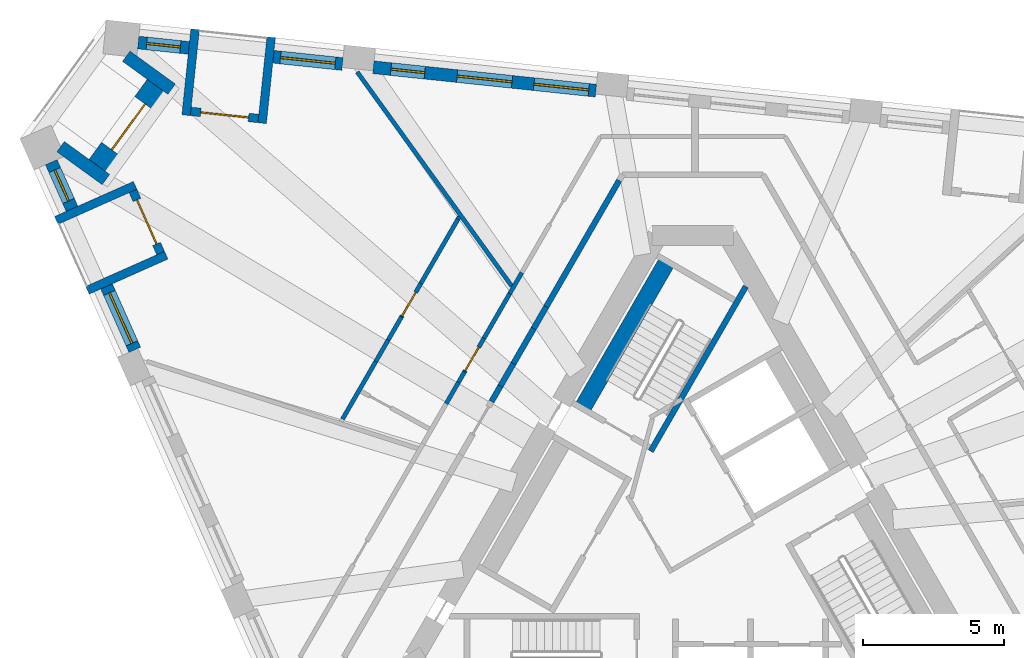
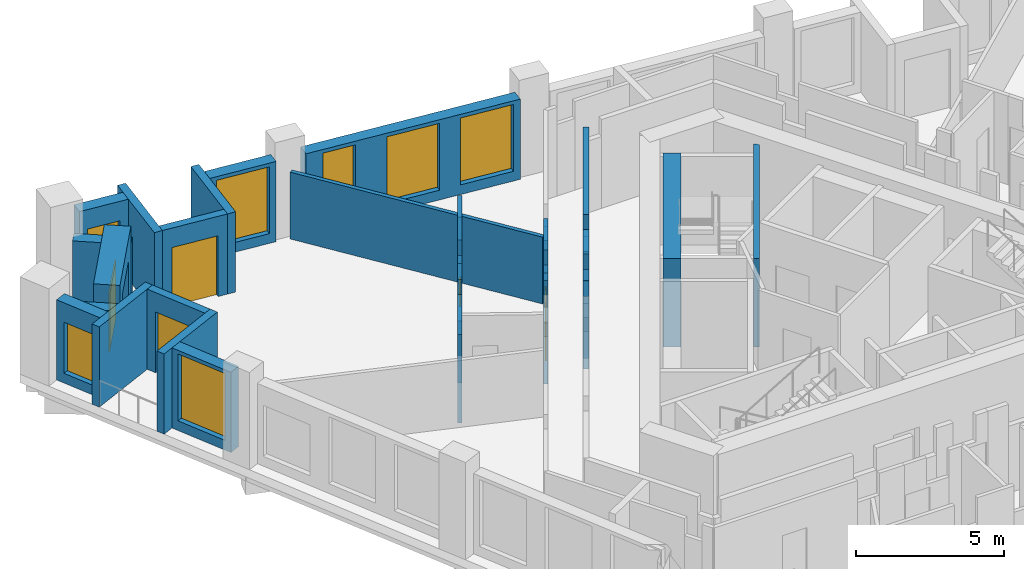
# One storey, part 6 of 11: 33 walls, 7 windows, 5 doors, 12 openings.
"""IFC4 building model written with IfcOpenShell, lengths in metres."""

from ifc_helpers import new_model, si_unit, direction, frame, frame_2d, origin, place, context, subcontext, project, spatial, polyline, rectangle, outline, extrude, material, layer, layer_set, type_object, element, fill, save


model = new_model("IFC4")

# Units and contexts
model_context = context("Model", 3, precision=1e-05, world=origin(), true_north=direction((0.0, 1.0)))
body_context = subcontext(model_context, "Body", "Model", "MODEL_VIEW")
ifc_project = project(units=[si_unit("LENGTHUNIT", "METRE"), si_unit("AREAUNIT", "SQUARE_METRE"), si_unit("VOLUMEUNIT", "CUBIC_METRE"), si_unit("PLANEANGLEUNIT", "RADIAN"), si_unit("MASSUNIT", "GRAM", prefix="KILO")], contexts=[model_context])

# Site, building, storey
site_placement = place(None, origin())
site = spatial("IfcSite", under=ifc_project, at=site_placement, CompositionType="ELEMENT")
building_placement = place(site_placement, origin())
building = spatial("IfcBuilding", under=site, at=building_placement, Name="Tramontana Tower", CompositionType="ELEMENT")
storey_placement = place(building_placement, frame((0.0, 0.0, 245.199951171875)))
storey = spatial("IfcBuildingStorey", under=building, at=storey_placement, Name="L57", CompositionType="ELEMENT", Elevation=245.199951171875)

# Walls
ifc_material_1 = material(Name="Blockwork", Category="masonry")
ifc_layer_1 = layer(ifc_material_1, 0.199951171875)
ifc_layer_set_1 = layer_set([ifc_layer_1], Name="ENTRY WALL 200")
wall_type_1 = type_object("IfcWallType", Name="ENTRY WALL 200", PredefinedType="SOLIDWALL", material=ifc_layer_set_1)
wall_1_placement = place(storey_placement, frame((-7.11181640625, 4.78173828125, 0.0), z_axis=(0.0, 0.0, 1.0), x_axis=(0.499956208541, 0.866050685319, 0.0)))
element("IfcWall", 1, at=wall_1_placement, inside=storey, type_object=wall_type_1, Name="Wall v60-ew3-6", PredefinedType="SOLIDWALL", context=body_context, shape_type="SweptSolid", body=[
    extrude(rectangle(XDim=0.6328125, YDim=0.199951171875, at=frame_2d((0.31640625, 0.0))), origin(), (0.0, 0.0, 1.0), 3.650146484375),
])
wall_2_placement = place(storey_placement, frame((-6.79541015625, 5.329833984375, 0.0), z_axis=(0.0, 0.0, 1.0), x_axis=(0.499975954304, 0.866039286129, 0.0)))
element("IfcWall", 2, at=wall_2_placement, inside=storey, type_object=wall_type_1, Name="Wall v60-ew3-7", PredefinedType="SOLIDWALL", context=body_context, shape_type="SweptSolid", body=[
    extrude(rectangle(XDim=0.9169921875, YDim=0.199951171875, at=frame_2d((0.45849609375, 0.0))), origin(), (0.0, 0.0, 1.0), 2.550048828125),
])
wall_3_placement = place(storey_placement, frame((-6.3369140625, 6.1240234375, 0.0), z_axis=(0.0, 0.0, 1.0), x_axis=(0.499904796234, 0.866080362727, 0.0)))
element("IfcWall", 3, at=wall_3_placement, inside=storey, type_object=wall_type_1, Name="Wall v60-ew3-8", PredefinedType="SOLIDWALL", context=body_context, shape_type="SweptSolid", body=[
    extrude(rectangle(XDim=1.429443359375, YDim=0.199951171875, at=frame_2d((0.71484375, 0.0))), origin(), (0.0, 0.0, 1.0), 3.650146484375),
])
wall_4_placement = place(storey_placement, frame((-5.622314453125, 7.362060546875, 0.0), z_axis=(0.0, 0.0, 1.0), x_axis=(0.500121072013, 0.86595549154, 0.0)))
element("IfcWall", 4, at=wall_4_placement, inside=storey, type_object=wall_type_1, Name="Wall v60-ew3-9", PredefinedType="SOLIDWALL", context=body_context, shape_type="SweptSolid", body=[
    extrude(rectangle(XDim=0.883544921875, YDim=0.199951171875, at=frame_2d((0.44189453125, 0.0))), origin(), (0.0, 0.0, 1.0), 2.75),
])
wall_5_placement = place(storey_placement, frame((-5.180419921875, 8.127197265625, 0.0), z_axis=(0.0, 0.0, 1.0), x_axis=(0.499995433041, 0.866028040503, 0.0)))
element("IfcWall", 5, at=wall_5_placement, inside=storey, type_object=wall_type_1, Name="Wall v60-ew3-10", PredefinedType="SOLIDWALL", context=body_context, shape_type="SweptSolid", body=[
    extrude(rectangle(XDim=5.1611328125, YDim=0.199951171875, at=frame_2d((2.58056640625, 0.0))), origin(), (0.0, 0.0, 1.0), 3.650146484375),
])

# Wall, opening, window
ifc_material_2 = material(Name="Precast concrete 60 MPa", Category="concrete")
ifc_layer_2 = layer(ifc_material_2, 0.449951171875)
ifc_layer_set_2 = layer_set([ifc_layer_2], Name="Precast concrete 60 MPa, 450 mm")
wall_type_2 = type_object("IfcWallType", Name="EW1 Stone-faced precast wall 450", PredefinedType="SOLIDWALL", material=ifc_layer_set_2)
wall_6_placement = place(storey_placement, frame((-22.67041015625, 13.240478515625, 0.0), z_axis=(0.0, 0.0, 1.0), x_axis=(0.406779346191, -0.913526443795, 0.0)))
wall_6 = element("IfcWall", 6, at=wall_6_placement, inside=storey, type_object=wall_type_2, Name="External wall L57 face 0 bay 1", PredefinedType="SOLIDWALL", context=body_context, shape_type="SweptSolid", body=[
    extrude(rectangle(XDim=1.80224609375, YDim=0.449951171875, at=frame_2d((0.901123046875, 0.0))), origin(), (0.0, 0.0, 1.0), 3.300048828125),
])
opening_1_placement = place(wall_6_placement, frame((0.301025390625, 0.0, 0.39990234375)))
opening_1 = element("IfcOpeningElement", 7, at=opening_1_placement, cuts=wall_6, Name="Opening N3L", PredefinedType="OPENING", context=body_context, shape_type="SweptSolid", body=[
    extrude(rectangle(XDim=1.199951171875, YDim=2.10009765625, at=frame_2d((0.60009765625, 1.050048828125))), frame((0.0, 0.23486328125, 0.0), z_axis=(0.0, -1.0, 0.0), x_axis=(1.0, 0.0, 0.0)), (0.0, 0.0, 1.0), 0.469970703125),
])
ifc_material_3 = material(Name="Aluminum frame, double glazing unit", Category="aluminium")
window_type_1 = type_object("IfcWindowType", Name="N3L Window 1.2 x 2.1", PartitioningType="SINGLE_PANEL", PredefinedType="WINDOW", material=ifc_material_3)
window_1_placement = place(opening_1_placement, origin())
window_1 = element("IfcWindow", 8, at=window_1_placement, inside=storey, type_object=window_type_1, Name="Window N3L L57 face 0 module 1", OverallHeight=2.10009765625, OverallWidth=1.199951171875, PartitioningType="SINGLE_PANEL", PredefinedType="WINDOW", context=body_context, shape_type="SweptSolid", body=[
    extrude(rectangle(XDim=1.199951171875, YDim=2.10009765625, at=frame_2d((0.60009765625, 1.050048828125))), frame((0.0, 0.030029296875, 0.0), z_axis=(0.0, -1.0, 0.0), x_axis=(1.0, 0.0, 0.0)), (0.0, 0.0, 1.0), 0.06005859375),
])
fill(opening_1, window_1)

wall_7_placement = place(storey_placement, frame((-20.71630859375, 8.851318359375, 0.0), z_axis=(0.0, 0.0, 1.0), x_axis=(0.406821962592, -0.913507466172, 0.0)))
wall_7 = element("IfcWall", 9, at=wall_7_placement, inside=storey, type_object=wall_type_2, Name="External wall L57 face 0 bay 1", PredefinedType="SOLIDWALL", context=body_context, shape_type="SweptSolid", body=[
    extrude(rectangle(XDim=2.4521484375, YDim=0.449951171875, at=frame_2d((1.22607421875, 0.0))), origin(), (0.0, 0.0, 1.0), 3.300048828125),
])
opening_2_placement = place(wall_7_placement, frame((0.251220703125, 0.0, 0.39990234375)))
opening_2 = element("IfcOpeningElement", 10, at=opening_2_placement, cuts=wall_7, Name="Opening M3", PredefinedType="OPENING", context=body_context, shape_type="SweptSolid", body=[
    extrude(rectangle(XDim=1.949951171875, YDim=2.75, at=frame_2d((0.97509765625, 1.375))), frame((0.0, 0.23486328125, 0.0), z_axis=(0.0, -1.0, 0.0), x_axis=(1.0, 0.0, 0.0)), (0.0, 0.0, 1.0), 0.469970703125),
])
ifc_material_4 = material(Name="Aluminum frame, double glazing unit", Category="aluminium")
window_type_2 = type_object("IfcWindowType", Name="M3 Window 1.95 x 2.75", PartitioningType="SINGLE_PANEL", PredefinedType="WINDOW", material=ifc_material_4)
window_2_placement = place(opening_2_placement, origin())
window_2 = element("IfcWindow", 11, at=window_2_placement, inside=storey, type_object=window_type_2, Name="Window M3 L57 face 0 module 3", OverallHeight=2.75, OverallWidth=1.949951171875, PartitioningType="SINGLE_PANEL", PredefinedType="WINDOW", context=body_context, shape_type="SweptSolid", body=[
    extrude(rectangle(XDim=1.949951171875, YDim=2.75, at=frame_2d((0.97509765625, 1.375))), frame((0.0, 0.030029296875, 0.0), z_axis=(0.0, -1.0, 0.0), x_axis=(1.0, 0.0, 0.0)), (0.0, 0.0, 1.0), 0.06005859375),
])
fill(opening_2, window_2)

# Wall, openings, windows
wall_8_placement = place(storey_placement, frame((-3.423828125, 15.769287109375, 0.0), z_axis=(0.0, 0.0, 1.0), x_axis=(-0.994522528385, 0.104522440343, 0.0)))
wall_8 = element("IfcWall", 12, at=wall_8_placement, inside=storey, type_object=wall_type_2, Name="External wall L57 face 2 bay 4", PredefinedType="SOLIDWALL", context=body_context, shape_type="SweptSolid", body=[
    extrude(rectangle(XDim=7.906494140625, YDim=0.449951171875, at=frame_2d((3.953125, 0.0))), origin(), (0.0, 0.0, 1.0), 3.300048828125),
])
opening_3_placement = place(wall_8_placement, frame((0.251220703125, 0.0, 0.39990234375)))
opening_3 = element("IfcOpeningElement", 13, at=opening_3_placement, cuts=wall_8, Name="Opening M3", PredefinedType="OPENING", context=body_context, shape_type="SweptSolid", body=[
    extrude(rectangle(XDim=1.949951171875, YDim=2.75, at=frame_2d((0.97509765625, 1.375))), frame((0.0, 0.23486328125, 0.0), z_axis=(0.0, -1.0, 0.0), x_axis=(1.0, 0.0, 0.0)), (0.0, 0.0, 1.0), 0.469970703125),
])
opening_4_placement = place(wall_8_placement, frame((2.978271484375, 0.0, 0.39990234375)))
opening_4 = element("IfcOpeningElement", 14, at=opening_4_placement, cuts=wall_8, Name="Opening M3", PredefinedType="OPENING", context=body_context, shape_type="SweptSolid", body=[
    extrude(rectangle(XDim=1.949951171875, YDim=2.75, at=frame_2d((0.97509765625, 1.375))), frame((0.0, 0.23486328125, 0.0), z_axis=(0.0, -1.0, 0.0), x_axis=(1.0, 0.0, 0.0)), (0.0, 0.0, 1.0), 0.469970703125),
])
opening_5_placement = place(wall_8_placement, frame((6.08056640625, 0.0, 0.39990234375)))
opening_5 = element("IfcOpeningElement", 15, at=opening_5_placement, cuts=wall_8, Name="Opening N3", PredefinedType="OPENING", context=body_context, shape_type="SweptSolid", body=[
    extrude(rectangle(XDim=1.199951171875, YDim=2.75, at=frame_2d((0.60009765625, 1.375))), frame((0.0, 0.23486328125, 0.0), z_axis=(0.0, -1.0, 0.0), x_axis=(1.0, 0.0, 0.0)), (0.0, 0.0, 1.0), 0.469970703125),
])
window_3_placement = place(opening_3_placement, origin())
window_3 = element("IfcWindow", 16, at=window_3_placement, inside=storey, type_object=window_type_2, Name="Window M3 L57 face 2 module 10", OverallHeight=2.75, OverallWidth=1.949951171875, PartitioningType="SINGLE_PANEL", PredefinedType="WINDOW", context=body_context, shape_type="SweptSolid", body=[
    extrude(rectangle(XDim=1.949951171875, YDim=2.75, at=frame_2d((0.97509765625, 1.375))), frame((0.0, 0.030029296875, 0.0), z_axis=(0.0, -1.0, 0.0), x_axis=(1.0, 0.0, 0.0)), (0.0, 0.0, 1.0), 0.06005859375),
])
fill(opening_3, window_3)
window_4_placement = place(opening_4_placement, origin())
window_4 = element("IfcWindow", 17, at=window_4_placement, inside=storey, type_object=window_type_2, Name="Window M3 L57 face 2 module 11", OverallHeight=2.75, OverallWidth=1.949951171875, PartitioningType="SINGLE_PANEL", PredefinedType="WINDOW", context=body_context, shape_type="SweptSolid", body=[
    extrude(rectangle(XDim=1.949951171875, YDim=2.75, at=frame_2d((0.97509765625, 1.375))), frame((0.0, 0.030029296875, 0.0), z_axis=(0.0, -1.0, 0.0), x_axis=(1.0, 0.0, 0.0)), (0.0, 0.0, 1.0), 0.06005859375),
])
fill(opening_4, window_4)
ifc_material_5 = material(Name="Aluminum frame, double glazing unit", Category="aluminium")
window_type_3 = type_object("IfcWindowType", Name="N3 Window 1.2 x 2.75", PartitioningType="SINGLE_PANEL", PredefinedType="WINDOW", material=ifc_material_5)
window_5_placement = place(opening_5_placement, origin())
window_5 = element("IfcWindow", 18, at=window_5_placement, inside=storey, type_object=window_type_3, Name="Window N3 L57 face 2 module 12", OverallHeight=2.75, OverallWidth=1.199951171875, PartitioningType="SINGLE_PANEL", PredefinedType="WINDOW", context=body_context, shape_type="SweptSolid", body=[
    extrude(rectangle(XDim=1.199951171875, YDim=2.75, at=frame_2d((0.60009765625, 1.375))), frame((0.0, 0.030029296875, 0.0), z_axis=(0.0, -1.0, 0.0), x_axis=(1.0, 0.0, 0.0)), (0.0, 0.0, 1.0), 0.06005859375),
])
fill(opening_5, window_5)

# Wall, opening, window
wall_9_placement = place(storey_placement, frame((-12.381103515625, 16.710693359375, 0.0), z_axis=(0.0, 0.0, 1.0), x_axis=(-0.994520717537, 0.104539668977, 0.0)))
wall_9 = element("IfcWall", 19, at=wall_9_placement, inside=storey, type_object=wall_type_2, Name="External wall L57 face 2 bay 5", PredefinedType="SOLIDWALL", context=body_context, shape_type="SweptSolid", body=[
    extrude(rectangle(XDim=2.4521484375, YDim=0.449951171875, at=frame_2d((1.22607421875, 0.0))), origin(), (0.0, 0.0, 1.0), 3.300048828125),
])
opening_6_placement = place(wall_9_placement, frame((0.251220703125, 0.0, 0.39990234375)))
opening_6 = element("IfcOpeningElement", 20, at=opening_6_placement, cuts=wall_9, Name="Opening M3", PredefinedType="OPENING", context=body_context, shape_type="SweptSolid", body=[
    extrude(rectangle(XDim=1.949951171875, YDim=2.75, at=frame_2d((0.97509765625, 1.375))), frame((0.0, 0.23486328125, 0.0), z_axis=(0.0, -1.0, 0.0), x_axis=(1.0, 0.0, 0.0)), (0.0, 0.0, 1.0), 0.469970703125),
])
window_6_placement = place(opening_6_placement, origin())
window_6 = element("IfcWindow", 21, at=window_6_placement, inside=storey, type_object=window_type_2, Name="Window M3 L57 face 2 module 13", OverallHeight=2.75, OverallWidth=1.949951171875, PartitioningType="SINGLE_PANEL", PredefinedType="WINDOW", context=body_context, shape_type="SweptSolid", body=[
    extrude(rectangle(XDim=1.949951171875, YDim=2.75, at=frame_2d((0.97509765625, 1.375))), frame((0.0, 0.030029296875, 0.0), z_axis=(0.0, -1.0, 0.0), x_axis=(1.0, 0.0, 0.0)), (0.0, 0.0, 1.0), 0.06005859375),
])
fill(opening_6, window_6)

wall_10_placement = place(storey_placement, frame((-17.8056640625, 17.28076171875, 0.0), z_axis=(0.0, 0.0, 1.0), x_axis=(-0.994515840559, 0.104586054885, 0.0)))
wall_10 = element("IfcWall", 22, at=wall_10_placement, inside=storey, type_object=wall_type_2, Name="External wall L57 face 2 bay 5", PredefinedType="SOLIDWALL", context=body_context, shape_type="SweptSolid", body=[
    extrude(rectangle(XDim=1.802001953125, YDim=0.449951171875, at=frame_2d((0.90087890625, 0.0))), origin(), (0.0, 0.0, 1.0), 3.300048828125),
])
opening_7_placement = place(wall_10_placement, frame((0.301025390625, 0.0, 0.39990234375)))
opening_7 = element("IfcOpeningElement", 23, at=opening_7_placement, cuts=wall_10, Name="Opening N3L", PredefinedType="OPENING", context=body_context, shape_type="SweptSolid", body=[
    extrude(rectangle(XDim=1.199951171875, YDim=2.10009765625, at=frame_2d((0.60009765625, 1.050048828125))), frame((0.0, 0.23486328125, 0.0), z_axis=(0.0, -1.0, 0.0), x_axis=(1.0, 0.0, 0.0)), (0.0, 0.0, 1.0), 0.469970703125),
])
window_7_placement = place(opening_7_placement, origin())
window_7 = element("IfcWindow", 24, at=window_7_placement, inside=storey, type_object=window_type_1, Name="Window N3L L57 face 2 module 15", OverallHeight=2.10009765625, OverallWidth=1.199951171875, PartitioningType="SINGLE_PANEL", PredefinedType="WINDOW", context=body_context, shape_type="SweptSolid", body=[
    extrude(rectangle(XDim=1.199951171875, YDim=2.10009765625, at=frame_2d((0.60009765625, 1.050048828125))), frame((0.0, 0.030029296875, 0.0), z_axis=(0.0, -1.0, 0.0), x_axis=(1.0, 0.0, 0.0)), (0.0, 0.0, 1.0), 0.06005859375),
])
fill(opening_7, window_7)

# Walls
for number, where, z_axis, x_axis, name in (
    (25, (-22.34033203125, 13.7900390625, 0.0), (0.0, 0.0, 1.0), (0.809040012586, -0.587753569138, 0.0), "Corner loggia side wall L57 K60l"),
    (26, (-20.0185546875, 16.985595703125, 0.0), (0.0, 0.0, 1.0), (0.809040012586, -0.587753569138, 0.0), "Corner loggia side wall L57 K60r"),
):
    element("IfcWall", number, at=place(storey_placement, frame(where, z_axis=z_axis, x_axis=x_axis)), inside=storey, type_object=wall_type_2, Name=name, PredefinedType="SOLIDWALL", context=body_context, shape_type="SweptSolid", body=[
        extrude(rectangle(XDim=1.979248046875, YDim=0.449951171875, at=frame_2d((0.98974609375, 0.0))), origin(), (0.0, 0.0, 1.0), 2.550048828125),
    ])

# Wall, opening, door
ifc_material_6 = material(Name="Precast concrete 60 MPa", Category="concrete")
ifc_layer_3 = layer(ifc_material_6, 0.89990234375)
ifc_layer_set_3 = layer_set([ifc_layer_3], Name="EW2 Stone-faced corner loggia wall 900")
wall_type_3 = type_object("IfcWallType", Name="EW2 Stone-faced corner loggia wall 900", PredefinedType="SOLIDWALL", material=ifc_layer_set_3)
wall_11_placement = place(storey_placement, frame((-20.970947265625, 13.0732421875, 0.0), z_axis=(0.0, 0.0, 1.0), x_axis=(0.587810807352, 0.808998426921, 0.0)))
wall_11 = element("IfcWall", 27, at=wall_11_placement, inside=storey, type_object=wall_type_3, Name="Corner loggia wall L57 K60", PredefinedType="SOLIDWALL", context=body_context, shape_type="SweptSolid", body=[
    extrude(rectangle(XDim=3.5, YDim=0.89990234375, at=frame_2d((1.75, 0.0))), origin(), (0.0, 0.0, 1.0), 3.300048828125),
])
opening_8_placement = place(wall_11_placement, frame((0.75, 0.0, 0.0)))
opening_8 = element("IfcOpeningElement", 28, at=opening_8_placement, cuts=wall_11, Name="Opening BD-60C", PredefinedType="OPENING", context=body_context, shape_type="SweptSolid", body=[
    extrude(rectangle(XDim=2.0, YDim=2.39990234375, at=frame_2d((1.0, 1.199951171875))), frame((0.0, 0.4599609375, 0.0), z_axis=(0.0, -1.0, 0.0), x_axis=(1.0, 0.0, 0.0)), (0.0, 0.0, 1.0), 0.919921875),
])
ifc_material_7 = material(Name="Aluminum frame, double glazing unit", Category="aluminium")
door_type_1 = type_object("IfcDoorType", Name="BC1 Sliding door 2 x 2.4", OperationType="SLIDING_TO_LEFT", PredefinedType="DOOR", material=ifc_material_7)
door_1_placement = place(opening_8_placement, origin())
door_1 = element("IfcDoor", 29, at=door_1_placement, inside=storey, type_object=door_type_1, Name="Corner loggia door L57 K60", OperationType="SLIDING_TO_LEFT", OverallHeight=2.39990234375, OverallWidth=2.0, PredefinedType="DOOR", context=body_context, shape_type="SweptSolid", body=[
    extrude(rectangle(XDim=2.0, YDim=2.39990234375, at=frame_2d((1.0, 1.199951171875))), frame((0.0, 0.02490234375, 0.0), z_axis=(0.0, -1.0, 0.0), x_axis=(1.0, 0.0, 0.0)), (0.0, 0.0, 1.0), 0.050048828125),
])
fill(opening_8, door_1)

ifc_material_8 = material(Name="Precast concrete 60 MPa", Category="concrete")
ifc_layer_4 = layer(ifc_material_8, 0.300048828125)
ifc_layer_set_4 = layer_set([ifc_layer_4], Name="LW1 Stone-faced loggia wall 300")
wall_type_4 = type_object("IfcWallType", Name="LW1 Stone-faced loggia wall 300", PredefinedType="SOLIDWALL", material=ifc_layer_set_4)
wall_12_placement = place(storey_placement, frame((-19.78271484375, 12.22509765625, 0.0), z_axis=(0.0, 0.0, 1.0), x_axis=(0.406723017018, -0.913551524232, 0.0)))
wall_12 = element("IfcWall", 30, at=wall_12_placement, inside=storey, type_object=wall_type_4, Name="Loggia wall L57 G6S0.1", PredefinedType="SOLIDWALL", context=body_context, shape_type="SweptSolid", body=[
    extrude(rectangle(XDim=2.40234375, YDim=0.300048828125, at=frame_2d((1.201171875, 0.0))), origin(), (0.0, 0.0, 1.0), 3.300048828125),
])
opening_9_placement = place(wall_12_placement, frame((0.35107421875, 0.0, 0.0)))
opening_9 = element("IfcOpeningElement", 31, at=opening_9_placement, cuts=wall_12, Name="Opening BD-6S0-01", PredefinedType="OPENING", context=body_context, shape_type="SweptSolid", body=[
    extrude(rectangle(XDim=1.699951171875, YDim=2.5, at=frame_2d((0.85009765625, 1.25))), frame((0.0, 0.159912109375, 0.0), z_axis=(0.0, -1.0, 0.0), x_axis=(1.0, 0.0, 0.0)), (0.0, 0.0, 1.0), 0.320068359375),
])
ifc_material_9 = material(Name="Aluminum frame, double glazing unit", Category="aluminium")
door_type_2 = type_object("IfcDoorType", Name="BD3 Sliding door 1.7 x 2.5", OperationType="SLIDING_TO_LEFT", PredefinedType="DOOR", material=ifc_material_9)
door_2_placement = place(opening_9_placement, origin())
door_2 = element("IfcDoor", 32, at=door_2_placement, inside=storey, type_object=door_type_2, Name="Loggia door L57 G6S0.1", OperationType="SLIDING_TO_LEFT", OverallHeight=2.5, OverallWidth=1.699951171875, PredefinedType="DOOR", context=body_context, shape_type="SweptSolid", body=[
    extrude(rectangle(XDim=1.699951171875, YDim=2.5, at=frame_2d((0.85009765625, 1.25))), frame((0.0, 0.02490234375, 0.0), z_axis=(0.0, -1.0, 0.0), x_axis=(1.0, 0.0, 0.0)), (0.0, 0.0, 1.0), 0.050048828125),
])
fill(opening_9, door_2)

# Walls
wall_13_placement = place(storey_placement, frame((-22.492919921875, 11.1826171875, 0.0), z_axis=(0.0, 0.0, 1.0), x_axis=(0.913557205168, 0.406710256677, 0.0)))
element("IfcWall", 33, at=wall_13_placement, inside=storey, type_object=wall_type_4, Name="Loggia return L57 G6S0.1a", PredefinedType="SOLIDWALL", context=body_context, shape_type="SweptSolid", body=[
    extrude(rectangle(XDim=3.050048828125, YDim=0.300048828125, at=frame_2d((1.52490234375, 0.0))), origin(), (0.0, 0.0, 1.0), 3.300048828125),
])
wall_14_placement = place(storey_placement, frame((-21.393798828125, 8.7138671875, 0.0), z_axis=(0.0, 0.0, 1.0), x_axis=(0.91354396316, 0.406739999721, 0.0)))
element("IfcWall", 34, at=wall_14_placement, inside=storey, type_object=wall_type_4, Name="Loggia return L57 G6S0.1b", PredefinedType="SOLIDWALL", context=body_context, shape_type="SweptSolid", body=[
    extrude(rectangle(XDim=3.0498046875, YDim=0.300048828125, at=frame_2d((1.52490234375, 0.0))), origin(), (0.0, 0.0, 1.0), 3.300048828125),
])

# Wall, opening, door
wall_15_placement = place(storey_placement, frame((-15.350830078125, 14.78564453125, 0.0), z_axis=(0.0, 0.0, 1.0), x_axis=(-0.994526595554, 0.104483734311, 0.0)))
wall_15 = element("IfcWall", 35, at=wall_15_placement, inside=storey, type_object=wall_type_4, Name="Loggia wall L57 G6S2.13", PredefinedType="SOLIDWALL", context=body_context, shape_type="SweptSolid", body=[
    extrude(rectangle(XDim=2.402099609375, YDim=0.300048828125, at=frame_2d((1.201171875, 0.0))), origin(), (0.0, 0.0, 1.0), 3.300048828125),
])
opening_10_placement = place(wall_15_placement, frame((0.35107421875, 0.0, 0.0)))
opening_10 = element("IfcOpeningElement", 36, at=opening_10_placement, cuts=wall_15, Name="Opening BD-6S2-13", PredefinedType="OPENING", context=body_context, shape_type="SweptSolid", body=[
    extrude(rectangle(XDim=1.699951171875, YDim=2.5, at=frame_2d((0.85009765625, 1.25))), frame((0.0, 0.159912109375, 0.0), z_axis=(0.0, -1.0, 0.0), x_axis=(1.0, 0.0, 0.0)), (0.0, 0.0, 1.0), 0.320068359375),
])
door_3_placement = place(opening_10_placement, origin())
door_3 = element("IfcDoor", 37, at=door_3_placement, inside=storey, type_object=door_type_2, Name="Loggia door L57 G6S2.13", OperationType="SLIDING_TO_LEFT", OverallHeight=2.5, OverallWidth=1.699951171875, PredefinedType="DOOR", context=body_context, shape_type="SweptSolid", body=[
    extrude(rectangle(XDim=1.699951171875, YDim=2.5, at=frame_2d((0.85009765625, 1.25))), frame((0.0, 0.02490234375, 0.0), z_axis=(0.0, -1.0, 0.0), x_axis=(1.0, 0.0, 0.0)), (0.0, 0.0, 1.0), 0.050048828125),
])
fill(opening_10, door_3)

# Walls
wall_16_placement = place(storey_placement, frame((-14.8984375, 17.654052734375, 0.0), z_axis=(0.0, 0.0, 1.0), x_axis=(-0.104543108891, -0.994520355942, 0.0)))
element("IfcWall", 38, at=wall_16_placement, inside=storey, type_object=wall_type_4, Name="Loggia return L57 G6S2.13a", PredefinedType="SOLIDWALL", context=body_context, shape_type="SweptSolid", body=[
    extrude(rectangle(XDim=3.0498046875, YDim=0.300048828125, at=frame_2d((1.52490234375, 0.0))), origin(), (0.0, 0.0, 1.0), 3.300048828125),
])
wall_17_placement = place(storey_placement, frame((-17.5859375, 17.9365234375, 0.0), z_axis=(0.0, 0.0, 1.0), x_axis=(-0.104534786906, -0.994521230707, 0.0)))
element("IfcWall", 39, at=wall_17_placement, inside=storey, type_object=wall_type_4, Name="Loggia return L57 G6S2.13b", PredefinedType="SOLIDWALL", context=body_context, shape_type="SweptSolid", body=[
    extrude(rectangle(XDim=3.050048828125, YDim=0.300048828125, at=frame_2d((1.52490234375, 0.0))), origin(), (0.0, 0.0, 1.0), 3.300048828125),
])
ifc_material_10 = material(Name="Gypsum board partition")
ifc_layer_5 = layer(ifc_material_10, 0.14990234375)
ifc_layer_set_5 = layer_set([ifc_layer_5], Name="PARTITION 150")
wall_type_5 = type_object("IfcWallType", Name="PARTITION 150", PredefinedType="PARTITIONING", material=ifc_layer_set_5)
wall_18_placement = place(storey_placement, frame((-8.714111328125, 4.70654296875, 0.0), z_axis=(0.0, 0.0, 1.0), x_axis=(0.499859285417, 0.866106630146, 0.0)))
element("IfcWall", 40, at=wall_18_placement, inside=storey, type_object=wall_type_5, Name="Wall v60-pw00-5", PredefinedType="PARTITIONING", context=body_context, shape_type="SweptSolid", body=[
    extrude(rectangle(XDim=0.875244140625, YDim=0.14990234375, at=frame_2d((0.4375, 0.0))), origin(), (0.0, 0.0, 1.0), 2.550048828125),
])
wall_19_placement = place(storey_placement, frame((-8.276611328125, 5.464599609375, 0.0), z_axis=(0.0, 0.0, 1.0), x_axis=(0.500116443366, 0.865958164737, 0.0)))
element("IfcWall", 41, at=wall_19_placement, inside=storey, type_object=wall_type_5, Name="Wall v60-pw00-6", PredefinedType="PARTITIONING", context=body_context, shape_type="SweptSolid", body=[
    extrude(rectangle(XDim=0.42919921875, YDim=0.14990234375, at=frame_2d((0.214599609375, 0.0))), origin(), (0.0, 0.0, 1.0), 3.650146484375),
])

# Wall, opening, door
wall_20_placement = place(storey_placement, frame((-8.06201171875, 5.836181640625, 0.0), z_axis=(0.0, 0.0, 1.0), x_axis=(0.499970382458, 0.866042502805, 0.0)))
wall_20 = element("IfcWall", 42, at=wall_20_placement, inside=storey, type_object=wall_type_5, Name="Wall v60-pw00-7", PredefinedType="PARTITIONING", context=body_context, shape_type="SweptSolid", body=[
    extrude(outline(polyline([(0.0, 0.0), (1.36376953125, 0.0), (1.364013671875, 2.550048828125), (0.47216796875, 2.550048828125), (0.47216796875, 3.650146484375), (0.0, 3.650146484375), (0.0, 0.0)])), frame((0.0, 0.074951171875, 0.0), z_axis=(0.0, -1.0, 0.0), x_axis=(1.0, 0.0, 0.0)), (0.0, 0.0, 1.0), 0.14990234375),
])
opening_11_placement = place(wall_20_placement, frame((0.050048828125, 0.0, 0.0)))
opening_11 = element("IfcOpeningElement", 43, at=opening_11_placement, cuts=wall_20, Name="Opening B6A-01", PredefinedType="OPENING", context=body_context, shape_type="SweptSolid", body=[
    extrude(rectangle(XDim=0.949951171875, YDim=2.39990234375, at=frame_2d((0.47509765625, 1.199951171875))), frame((0.0, 0.0849609375, 0.0), z_axis=(0.0, -1.0, 0.0), x_axis=(1.0, 0.0, 0.0)), (0.0, 0.0, 1.0), 0.169921875),
])
ifc_material_11 = material(Name="Painted timber", Category="wood")
door_type_3 = type_object("IfcDoorType", Name="DOOR ROOM 950", OperationType="SINGLE_SWING_LEFT", PredefinedType="DOOR", material=ifc_material_11)
door_4_placement = place(opening_11_placement, origin())
door_4 = element("IfcDoor", 44, at=door_4_placement, inside=storey, type_object=door_type_3, Name="Door B6A-01", OperationType="SINGLE_SWING_LEFT", OverallHeight=2.39990234375, OverallWidth=0.949951171875, PredefinedType="DOOR", context=body_context, shape_type="SweptSolid", body=[
    extrude(rectangle(XDim=0.949951171875, YDim=2.39990234375, at=frame_2d((0.47509765625, 1.199951171875))), frame((0.0, 0.02490234375, 0.0), z_axis=(0.0, -1.0, 0.0), x_axis=(1.0, 0.0, 0.0)), (0.0, 0.0, 1.0), 0.050048828125),
])
fill(opening_11, door_4)

# Walls
wall_21_placement = place(storey_placement, frame((-7.380126953125, 7.017333984375, 0.0), z_axis=(0.0, 0.0, 1.0), x_axis=(0.500012159746, 0.866018383238, 0.0)))
element("IfcWall", 45, at=wall_21_placement, inside=storey, type_object=wall_type_5, Name="Wall v60-pw00-8", PredefinedType="PARTITIONING", context=body_context, shape_type="SweptSolid", body=[
    extrude(rectangle(XDim=1.82373046875, YDim=0.14990234375, at=frame_2d((0.911865234375, 0.0))), origin(), (0.0, 0.0, 1.0), 3.650146484375),
])
wall_22_placement = place(storey_placement, frame((-6.46826171875, 8.5966796875, 0.0), z_axis=(0.0, 0.0, 1.0), x_axis=(0.500035209441, 0.86600507465, 0.0)))
element("IfcWall", 46, at=wall_22_placement, inside=storey, type_object=wall_type_5, Name="Wall v60-pw00-9", PredefinedType="PARTITIONING", context=body_context, shape_type="SweptSolid", body=[
    extrude(rectangle(XDim=0.85595703125, YDim=0.14990234375, at=frame_2d((0.427978515625, 0.0))), origin(), (0.0, 0.0, 1.0), 2.75),
])
wall_23_placement = place(storey_placement, frame((-12.376220703125, 4.16357421875, 0.0), z_axis=(0.0, 0.0, 1.0), x_axis=(0.499998569178, 0.866026229868, 0.0)))
element("IfcWall", 47, at=wall_23_placement, inside=storey, type_object=wall_type_5, Name="Wall v60-pw01-1", PredefinedType="PARTITIONING", context=body_context, shape_type="SweptSolid", body=[
    extrude(rectangle(XDim=2.34716796875, YDim=0.14990234375, at=frame_2d((1.173583984375, 0.0))), origin(), (0.0, 0.0, 1.0), 3.650146484375),
])
wall_24_placement = place(storey_placement, frame((-11.20263671875, 6.1962890625, 0.0), z_axis=(0.0, 0.0, 1.0), x_axis=(0.499980071345, 0.866036909293, 0.0)))
element("IfcWall", 48, at=wall_24_placement, inside=storey, type_object=wall_type_5, Name="Wall v60-pw01-2", PredefinedType="PARTITIONING", context=body_context, shape_type="SweptSolid", body=[
    extrude(rectangle(XDim=0.875, YDim=0.14990234375, at=frame_2d((0.4375, 0.0))), origin(), (0.0, 0.0, 1.0), 2.550048828125),
])
wall_25_placement = place(storey_placement, frame((-10.76513671875, 6.9541015625, 0.0), z_axis=(0.0, 0.0, 1.0), x_axis=(0.499841962787, 0.866116627388, 0.0)))
element("IfcWall", 49, at=wall_25_placement, inside=storey, type_object=wall_type_5, Name="Wall v60-pw01-3", PredefinedType="PARTITIONING", context=body_context, shape_type="SweptSolid", body=[
    extrude(rectangle(XDim=0.943115234375, YDim=0.14990234375, at=frame_2d((0.4716796875, 0.0))), origin(), (0.0, 0.0, 1.0), 3.650146484375),
])

# Wall, opening, door
wall_26_placement = place(storey_placement, frame((-10.293701171875, 7.77099609375, 0.0), z_axis=(0.0, 0.0, 1.0), x_axis=(0.500117582512, 0.865957506846, 0.0)))
wall_26 = element("IfcWall", 50, at=wall_26_placement, inside=storey, type_object=wall_type_5, Name="Wall v60-pw01-4", PredefinedType="PARTITIONING", context=body_context, shape_type="SweptSolid", body=[
    extrude(outline(polyline([(0.0, 0.0), (1.372802734375, 0.0), (1.372802734375, 2.550048828125), (0.48095703125, 2.550048828125), (0.48095703125, 3.650146484375), (0.0, 3.650146484375), (0.0, 0.0)])), frame((0.0, 0.074951171875, 0.0), z_axis=(0.0, -1.0, 0.0), x_axis=(1.0, 0.0, 0.0)), (0.0, 0.0, 1.0), 0.14990234375),
])
opening_12_placement = place(wall_26_placement, frame((0.050048828125, 0.0, 0.0)))
opening_12 = element("IfcOpeningElement", 51, at=opening_12_placement, cuts=wall_26, Name="Opening B6A-15", PredefinedType="OPENING", context=body_context, shape_type="SweptSolid", body=[
    extrude(rectangle(XDim=0.949951171875, YDim=2.39990234375, at=frame_2d((0.47509765625, 1.199951171875))), frame((0.0, 0.0849609375, 0.0), z_axis=(0.0, -1.0, 0.0), x_axis=(1.0, 0.0, 0.0)), (0.0, 0.0, 1.0), 0.169921875),
])
door_5_placement = place(opening_12_placement, origin())
door_5 = element("IfcDoor", 52, at=door_5_placement, inside=storey, type_object=door_type_3, Name="Door B6A-15", OperationType="SINGLE_SWING_LEFT", OverallHeight=2.39990234375, OverallWidth=0.949951171875, PredefinedType="DOOR", context=body_context, shape_type="SweptSolid", body=[
    extrude(rectangle(XDim=0.949951171875, YDim=2.39990234375, at=frame_2d((0.47509765625, 1.199951171875))), frame((0.0, 0.02490234375, 0.0), z_axis=(0.0, -1.0, 0.0), x_axis=(1.0, 0.0, 0.0)), (0.0, 0.0, 1.0), 0.050048828125),
])
fill(opening_12, door_5)

# Walls
wall_27_placement = place(storey_placement, frame((-9.607177734375, 8.959716796875, 0.0), z_axis=(0.0, 0.0, 1.0), x_axis=(0.49994612994, 0.866056503444, 0.0)))
element("IfcWall", 53, at=wall_27_placement, inside=storey, type_object=wall_type_5, Name="Wall v60-pw01-5", PredefinedType="PARTITIONING", context=body_context, shape_type="SweptSolid", body=[
    extrude(rectangle(XDim=2.614013671875, YDim=0.14990234375, at=frame_2d((1.30712890625, 0.0))), origin(), (0.0, 0.0, 1.0), 3.650146484375),
])
wall_28_placement = place(storey_placement, frame((-8.30029296875, 11.2236328125, 0.0), z_axis=(0.0, 0.0, 1.0), x_axis=(0.501641482138, 0.865075617156, 0.0)))
element("IfcWall", 54, at=wall_28_placement, inside=storey, type_object=wall_type_5, Name="Wall v60-pw01-6", PredefinedType="PARTITIONING", context=body_context, shape_type="SweptSolid", body=[
    extrude(rectangle(XDim=0.095458984375, YDim=0.14990234375, at=frame_2d((0.0478515625, 0.0))), origin(), (0.0, 0.0, 1.0), 2.75),
])
wall_29_placement = place(storey_placement, frame((-11.857666015625, 16.429443359375, 0.0), z_axis=(0.0, 0.0, 1.0), x_axis=(0.585232485498, -0.810865548607, 0.0)))
element("IfcWall", 55, at=wall_29_placement, inside=storey, type_object=wall_type_5, Name="Wall v60-pw02-0", PredefinedType="PARTITIONING", context=body_context, shape_type="SweptSolid", body=[
    extrude(rectangle(XDim=9.3271484375, YDim=0.14990234375, at=frame_2d((4.66357421875, 0.0))), origin(), (0.0, 0.0, 1.0), 2.75),
])
ifc_material_12 = material(Name="Concrete 70 MPa", Category="concrete")
ifc_layer_6 = layer(ifc_material_12, 0.60009765625)
ifc_layer_set_6 = layer_set([ifc_layer_6], Name="Concrete 70 MPa, 600 mm")
wall_type_6 = type_object("IfcWallType", Name="RC SHAFT BACK WALL 600", PredefinedType="SOLIDWALL", material=ifc_layer_set_6)
wall_30_placement = place(storey_placement, frame((-0.85302734375, 9.822509765625, 0.0), z_axis=(0.0, 0.0, 1.0), x_axis=(-0.500009909098, -0.866019682689, 0.0)))
element("IfcWall", 56, at=wall_30_placement, inside=storey, type_object=wall_type_6, Name="Wall st1-back", PredefinedType="SOLIDWALL", context=body_context, shape_type="SweptSolid", body=[
    extrude(rectangle(XDim=6.199951171875, YDim=0.60009765625, at=frame_2d((3.10009765625, 0.0))), origin(), (0.0, 0.0, 1.0), 3.650146484375),
])
ifc_material_13 = material(Name="Concrete 70 MPa", Category="concrete")
ifc_layer_7 = layer(ifc_material_13, 0.199951171875)
ifc_layer_set_7 = layer_set([ifc_layer_7], Name="Concrete 70 MPa, 200 mm")
wall_type_7 = type_object("IfcWallType", Name="RC STAIR AND SHAFT WALL 200", PredefinedType="SOLIDWALL", material=ifc_layer_set_7)
wall_31_placement = place(storey_placement, frame((1.87646484375, 8.85009765625, 0.0), z_axis=(0.0, 0.0, 1.0), x_axis=(-0.499998042495, -0.866026533947, 0.0)))
element("IfcWall", 57, at=wall_31_placement, inside=storey, type_object=wall_type_7, Name="Wall st1-front", PredefinedType="SOLIDWALL", context=body_context, shape_type="SweptSolid", body=[
    extrude(rectangle(XDim=6.72265625, YDim=0.199951171875, at=frame_2d((3.361328125, 0.0))), origin(), (0.0, 0.0, 1.0), 3.650146484375),
])

save(model, "model.ifc")
